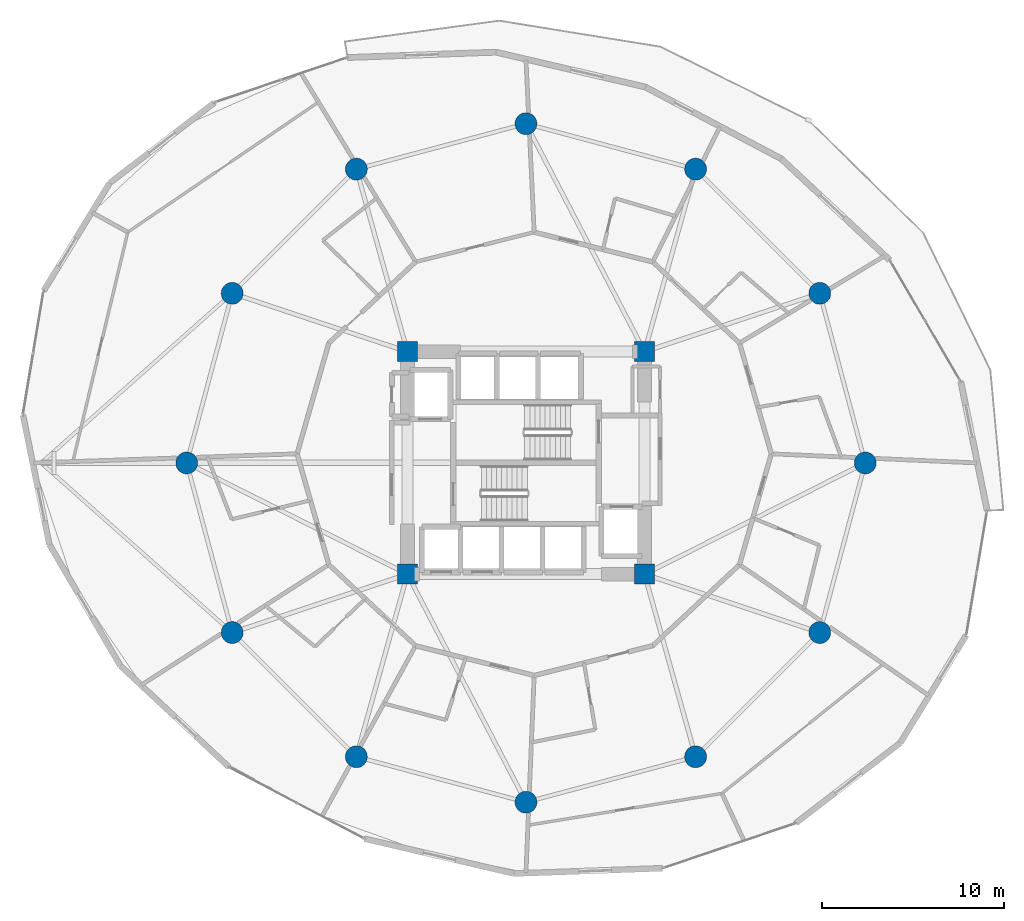
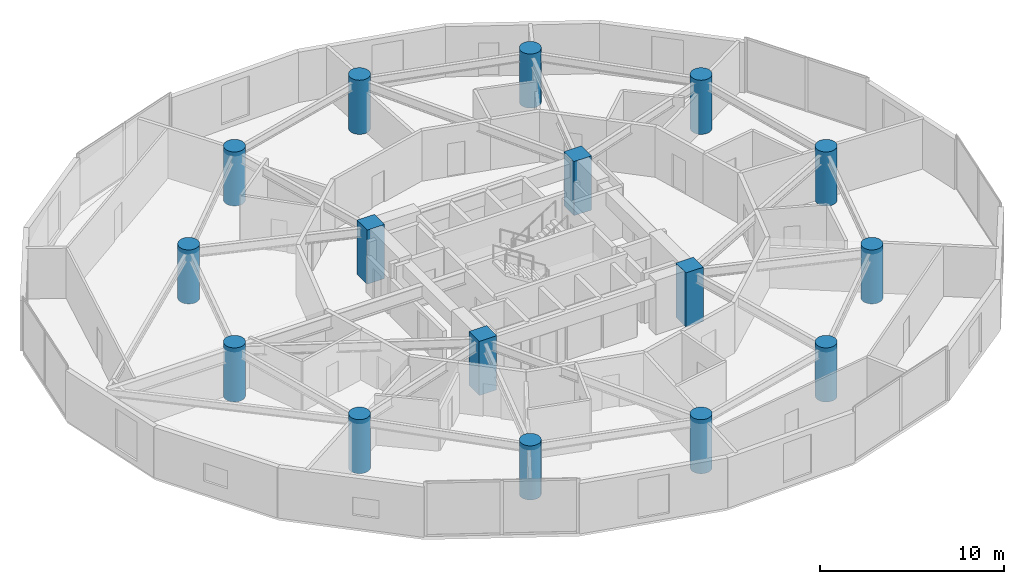
# One storey, part 1 of 23: 16 columns.
"""IFC4 building model written with IfcOpenShell, lengths in metres."""

from ifc_helpers import new_model, si_unit, direction, frame, origin, origin_2d, place, context, subcontext, project, spatial, rectangle, circle, extrude, material, material_profile, profile_set, type_object, element, save


model = new_model("IFC4")

# Units and contexts
model_context = context("Model", 3, precision=1e-05, world=origin(), true_north=direction((0.0, 1.0)))
body_context = subcontext(model_context, "Body", "Model", "MODEL_VIEW")
ifc_project = project(units=[si_unit("LENGTHUNIT", "METRE"), si_unit("AREAUNIT", "SQUARE_METRE"), si_unit("VOLUMEUNIT", "CUBIC_METRE"), si_unit("PLANEANGLEUNIT", "RADIAN"), si_unit("MASSUNIT", "GRAM", prefix="KILO")], contexts=[model_context])

# Site, building, storey
site_placement = place(None, origin())
site = spatial("IfcSite", under=ifc_project, at=site_placement, CompositionType="ELEMENT")
building_placement = place(site_placement, origin())
building = spatial("IfcBuilding", under=site, at=building_placement, Name="Solvirekh Grand Hotel", CompositionType="ELEMENT")
storey_placement = place(building_placement, frame((0.0, 0.0, 75.199951171875)))
storey = spatial("IfcBuildingStorey", under=building, at=storey_placement, Name="L18", CompositionType="ELEMENT", Elevation=75.199951171875)

# Columns
ifc_material = material(Name="Concrete C60/75", Category="concrete")
ifc_material_profile_1 = material_profile(ifc_material, rectangle(XDim=1.10009765625, YDim=1.10009765625, at=origin_2d()), Name="RC 1100X1100")
ifc_profile_set_1 = profile_set([ifc_material_profile_1], Name="Concrete C60/75")
column_type_1 = type_object("IfcColumnType", Name="Col_Core_1100", PredefinedType="COLUMN", material=ifc_profile_set_1)
for number, where, z_axis, x_axis, name in (
    (1, (-6.5, -6.10009765625, 0.0), (0.0, 0.0, 1.0), (1.0, 0.0, 0.0), "L18 core corner column CC1"),
    (2, (6.5, -6.10009765625, 0.0), (0.0, 0.0, 1.0), (1.0, 0.0, 0.0), "L18 core corner column CC2"),
    (3, (6.5, 6.10009765625, 0.0), (0.0, 0.0, 1.0), (1.0, 0.0, 0.0), "L18 core corner column CC3"),
    (4, (-6.5, 6.10009765625, 0.0), (0.0, 0.0, 1.0), (1.0, 0.0, 0.0), "L18 core corner column CC4"),
):
    element("IfcColumn", number, at=place(storey_placement, frame(where, z_axis=z_axis, x_axis=x_axis)), inside=storey, type_object=column_type_1, Name=name, PredefinedType="COLUMN", context=body_context, shape_type="SweptSolid", body=[
        extrude(rectangle(XDim=1.10009765625, YDim=1.10009765625, at=origin_2d()), origin(), (0.0, 0.0, 1.0), 3.60009765625),
    ])
ifc_material_profile_2 = material_profile(ifc_material, circle(Radius=0.60009765625, at=origin_2d()), Name="RC CIRC D1200")
ifc_profile_set_2 = profile_set([ifc_material_profile_2], Name="Concrete C60/75")
column_type_2 = type_object("IfcColumnType", Name="Col_Z1_D1200", PredefinedType="COLUMN", material=ifc_profile_set_2)
for number, where, z_axis, x_axis, name in (
    (5, (18.60009765625, 0.0, 0.0), (0.0, 0.0, 1.0), (1.0, 0.0, 0.0), "L18 perimeter column P01"),
    (6, (16.10791015625, 9.300048828125, 0.0), (0.0, 0.0, 1.0), (1.0, 0.0, 0.0), "L18 perimeter column P02"),
    (7, (9.300048828125, 16.10791015625, 0.0), (0.0, 0.0, 1.0), (1.0, 0.0, 0.0), "L18 perimeter column P03"),
    (8, (0.0, 18.60009765625, 0.0), (0.0, 0.0, 1.0), (1.0, 0.0, 0.0), "L18 perimeter column P04"),
    (9, (-9.300048828125, 16.10791015625, 0.0), (0.0, 0.0, 1.0), (1.0, 0.0, 0.0), "L18 perimeter column P05"),
    (10, (-16.10791015625, 9.300048828125, 0.0), (0.0, 0.0, 1.0), (1.0, 0.0, 0.0), "L18 perimeter column P06"),
    (11, (-18.60009765625, 0.0, 0.0), (0.0, 0.0, 1.0), (1.0, 0.0, 0.0), "L18 perimeter column P07"),
    (12, (-16.10791015625, -9.300048828125, 0.0), (0.0, 0.0, 1.0), (1.0, 0.0, 0.0), "L18 perimeter column P08"),
    (13, (-9.300048828125, -16.10791015625, 0.0), (0.0, 0.0, 1.0), (1.0, 0.0, 0.0), "L18 perimeter column P09"),
    (14, (0.0, -18.60009765625, 0.0), (0.0, 0.0, 1.0), (1.0, 0.0, 0.0), "L18 perimeter column P10"),
    (15, (9.300048828125, -16.10791015625, 0.0), (0.0, 0.0, 1.0), (1.0, 0.0, 0.0), "L18 perimeter column P11"),
    (16, (16.10791015625, -9.300048828125, 0.0), (0.0, 0.0, 1.0), (1.0, 0.0, 0.0), "L18 perimeter column P12"),
):
    element("IfcColumn", number, at=place(storey_placement, frame(where, z_axis=z_axis, x_axis=x_axis)), inside=storey, type_object=column_type_2, Name=name, PredefinedType="COLUMN", context=body_context, shape_type="SweptSolid", body=[
        extrude(circle(Radius=0.60009765625, at=origin_2d()), origin(), (0.0, 0.0, 1.0), 3.60009765625),
    ])

save(model, "model.ifc")
